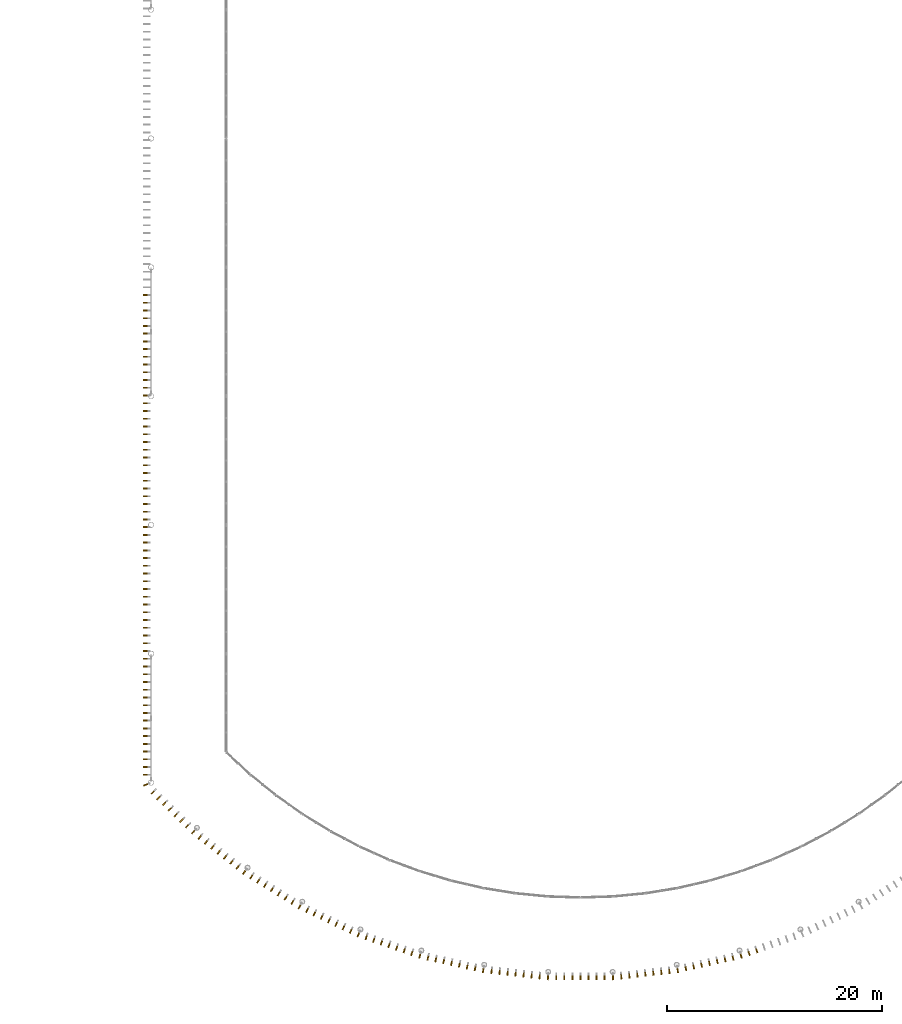
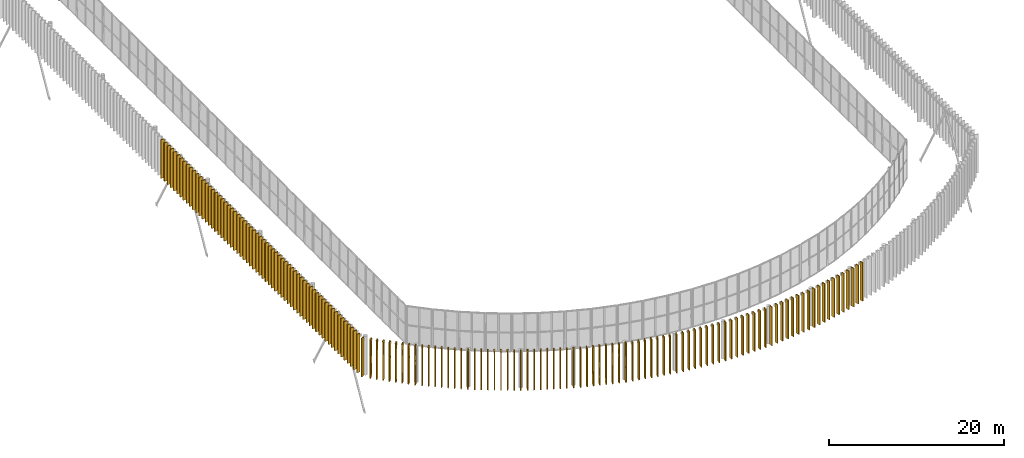
# One storey, part 157 of 170: 146 shading devices.
"""IFC4 building model written with IfcOpenShell, lengths in metres."""

from ifc_helpers import new_model, si_unit, direction, frame, origin, origin_2d, place, context, subcontext, project, spatial, rectangle, extrude, material, layer, layer_set, type_object, element, save


model = new_model("IFC4")

# Units and contexts
model_context = context("Model", 3, precision=1e-05, world=origin(), true_north=direction((0.0, 1.0)))
body_context = subcontext(model_context, "Body", "Model", "MODEL_VIEW")
ifc_project = project(units=[si_unit("LENGTHUNIT", "METRE"), si_unit("AREAUNIT", "SQUARE_METRE"), si_unit("VOLUMEUNIT", "CUBIC_METRE"), si_unit("PLANEANGLEUNIT", "RADIAN"), si_unit("MASSUNIT", "GRAM", prefix="KILO")], contexts=[model_context])

# Site, building, storey
site_placement = place(None, origin())
site = spatial("IfcSite", under=ifc_project, at=site_placement, CompositionType="ELEMENT")
building_placement = place(site_placement, origin())
building = spatial("IfcBuilding", under=site, at=building_placement, Name="Ravi Spectrum Wholesale Market", CompositionType="ELEMENT")
storey_placement = place(building_placement, frame((0.0, 0.0, 5.39990234375)))
storey = spatial("IfcBuildingStorey", under=building, at=storey_placement, Name="L01", CompositionType="ELEMENT", Elevation=5.39990234375)

# Shading devices
ifc_material_1 = material(Name="Glazed ceramic red 01")
ifc_layer_1 = layer(ifc_material_1, 0.1201171875)
ifc_layer_set_1 = layer_set([ifc_layer_1], Name="Glazed ceramic red 01")
shading_device_type_1 = type_object("IfcShadingDeviceType", Name="Glazed ceramic fin 01", PredefinedType="USERDEFINED", material=ifc_layer_set_1)
for number, where, z_axis, x_axis, name in (
    (1, (41.898193359375, 19.642822265625, 0.000244140625), (0.0, 0.0, 1.0), (0.849312431968, -0.527890512232, 0.0), "Fin F255 Glazed ceramic red 01"),
    (2, (42.535400390625, 19.24658203125, 0.000244140625), (0.0, 0.0, 1.0), (0.849312431968, -0.527890512232, 0.0), "Fin F256 Glazed ceramic red 01"),
    (3, (43.172607421875, 18.8505859375, 0.000244140625), (0.0, 0.0, 1.0), (0.849312431968, -0.527890512232, 0.0), "Fin F257 Glazed ceramic red 01"),
    (4, (43.835205078125, 18.439697265625, 0.000244140625), (0.0, 0.0, 1.0), (0.877341110352, -0.4798672484, 0.0), "Fin F258 Glazed ceramic red 01"),
    (5, (44.53857421875, 18.103515625, 0.000244140625), (0.0, 0.0, 1.0), (0.902657189799, -0.430360311488, 0.0), "Fin F259 Glazed ceramic red 01"),
    (6, (45.2158203125, 17.780517578125, 0.000244140625), (0.0, 0.0, 1.0), (0.902657189799, -0.430360311488, 0.0), "Fin F260 Glazed ceramic red 01"),
    (7, (45.893310546875, 17.45751953125, 0.000244140625), (0.0, 0.0, 1.0), (0.902657189799, -0.430360311488, 0.0), "Fin F261 Glazed ceramic red 01"),
    (8, (46.570556640625, 17.134765625, 0.000244140625), (0.0, 0.0, 1.0), (0.902657189799, -0.430360311488, 0.0), "Fin F262 Glazed ceramic red 01"),
    (9, (47.247802734375, 16.811767578125, 0.000244140625), (0.0, 0.0, 1.0), (0.902657189799, -0.430360311488, 0.0), "Fin F263 Glazed ceramic red 01"),
    (10, (47.92529296875, 16.48876953125, 0.000244140625), (0.0, 0.0, 1.0), (0.902657189799, -0.430360311488, 0.0), "Fin F264 Glazed ceramic red 01"),
    (11, (48.6025390625, 16.166015625, 0.000244140625), (0.0, 0.0, 1.0), (0.902657189799, -0.430360311488, 0.0), "Fin F265 Glazed ceramic red 01"),
    (12, (49.306640625, 15.8310546875, 0.000244140625), (0.0, 0.0, 1.0), (0.925182397026, -0.379522769057, 0.0), "Fin F266 Glazed ceramic red 01"),
    (13, (50.042724609375, 15.574951171875, 0.000244140625), (0.0, 0.0, 1.0), (0.944847087681, -0.32751180269, 0.0), "Fin F267 Glazed ceramic red 01"),
    (14, (50.751708984375, 15.329345703125, 0.000244140625), (0.0, 0.0, 1.0), (0.944847087681, -0.32751180269, 0.0), "Fin F268 Glazed ceramic red 01"),
    (15, (51.460693359375, 15.08349609375, 0.000244140625), (0.0, 0.0, 1.0), (0.944847087681, -0.32751180269, 0.0), "Fin F269 Glazed ceramic red 01"),
    (16, (52.169677734375, 14.837890625, 0.000244140625), (0.0, 0.0, 1.0), (0.944847087681, -0.32751180269, 0.0), "Fin F270 Glazed ceramic red 01"),
    (17, (52.878662109375, 14.592041015625, 0.000244140625), (0.0, 0.0, 1.0), (0.944847087681, -0.32751180269, 0.0), "Fin F271 Glazed ceramic red 01"),
    (18, (53.587646484375, 14.34619140625, 0.000244140625), (0.0, 0.0, 1.0), (0.944847087681, -0.32751180269, 0.0), "Fin F272 Glazed ceramic red 01"),
    (19, (54.296630859375, 14.1005859375, 0.000244140625), (0.0, 0.0, 1.0), (0.944847087681, -0.32751180269, 0.0), "Fin F273 Glazed ceramic red 01"),
    (20, (55.033447265625, 13.845947265625, 0.000244140625), (0.0, 0.0, 1.0), (0.961590461677, -0.27448822199, 0.0), "Fin F274 Glazed ceramic red 01"),
    (21, (55.793701171875, 13.67333984375, 0.000244140625), (0.0, 0.0, 1.0), (0.97536075116, -0.220615967456, 0.0), "Fin F275 Glazed ceramic red 01"),
    (22, (56.525634765625, 13.507568359375, 0.000244140625), (0.0, 0.0, 1.0), (0.97536075116, -0.220615967456, 0.0), "Fin F276 Glazed ceramic red 01"),
    (23, (57.257568359375, 13.342041015625, 0.000244140625), (0.0, 0.0, 1.0), (0.97536075116, -0.220615967456, 0.0), "Fin F277 Glazed ceramic red 01"),
    (24, (57.9892578125, 13.176513671875, 0.000244140625), (0.0, 0.0, 1.0), (0.97536075116, -0.220615967456, 0.0), "Fin F278 Glazed ceramic red 01"),
    (25, (58.72119140625, 13.010986328125, 0.000244140625), (0.0, 0.0, 1.0), (0.97536075116, -0.220615967456, 0.0), "Fin F279 Glazed ceramic red 01"),
    (26, (59.453125, 12.845458984375, 0.000244140625), (0.0, 0.0, 1.0), (0.97536075116, -0.220615967456, 0.0), "Fin F280 Glazed ceramic red 01"),
    (27, (60.18505859375, 12.679931640625, 0.000244140625), (0.0, 0.0, 1.0), (0.97536075116, -0.220615967456, 0.0), "Fin F281 Glazed ceramic red 01"),
    (28, (60.945556640625, 12.5087890625, 0.000244140625), (0.0, 0.0, 1.0), (0.986115380594, -0.166061603499, 0.0), "Fin F282 Glazed ceramic red 01"),
    (29, (61.72021484375, 12.42138671875, 0.000244140625), (0.0, 0.0, 1.0), (0.993821098377, -0.110993803521, 0.0), "Fin F283 Glazed ceramic red 01"),
    (30, (62.4658203125, 12.338134765625, 0.000244140625), (0.0, 0.0, 1.0), (0.993821098377, -0.110993803521, 0.0), "Fin F284 Glazed ceramic red 01"),
    (31, (63.211669921875, 12.2548828125, 0.000244140625), (0.0, 0.0, 1.0), (0.993821098377, -0.110993803521, 0.0), "Fin F285 Glazed ceramic red 01"),
    (32, (63.957275390625, 12.171630859375, 0.000244140625), (0.0, 0.0, 1.0), (0.993821098377, -0.110993803521, 0.0), "Fin F286 Glazed ceramic red 01"),
    (33, (64.703125, 12.08837890625, 0.000244140625), (0.0, 0.0, 1.0), (0.993821098377, -0.110993803521, 0.0), "Fin F287 Glazed ceramic red 01"),
    (34, (65.44873046875, 12.005126953125, 0.000244140625), (0.0, 0.0, 1.0), (0.993821098377, -0.110993803521, 0.0), "Fin F288 Glazed ceramic red 01"),
    (35, (66.194580078125, 11.921630859375, 0.000244140625), (0.0, 0.0, 1.0), (0.993821098377, -0.110993803521, 0.0), "Fin F289 Glazed ceramic red 01"),
    (36, (66.96923828125, 11.8359375, 0.000244140625), (0.0, 0.0, 1.0), (0.998454079659, -0.055582828385, 0.0), "Fin F290 Glazed ceramic red 01"),
    (37, (67.748779296875, 11.835205078125, 0.000244140625), (0.0, 0.0, 1.0), (1.0, 0.0, 0.0), "Fin F291 Glazed ceramic red 01"),
    (38, (68.499267578125, 11.835205078125, 0.000244140625), (0.0, 0.0, 1.0), (1.0, 0.0, 0.0), "Fin F292 Glazed ceramic red 01"),
    (39, (69.24951171875, 11.835205078125, 0.000244140625), (0.0, 0.0, 1.0), (1.0, 0.0, 0.0), "Fin F293 Glazed ceramic red 01"),
    (40, (70.0, 11.835205078125, 0.000244140625), (0.0, 0.0, 1.0), (1.0, 0.0, 0.0), "Fin F294 Glazed ceramic red 01"),
    (41, (70.75048828125, 11.835205078125, 0.000244140625), (0.0, 0.0, 1.0), (1.0, 0.0, 0.0), "Fin F295 Glazed ceramic red 01"),
    (42, (71.500732421875, 11.835205078125, 0.000244140625), (0.0, 0.0, 1.0), (1.0, 0.0, 0.0), "Fin F296 Glazed ceramic red 01"),
    (43, (72.251220703125, 11.835205078125, 0.000244140625), (0.0, 0.0, 1.0), (1.0, 0.0, 0.0), "Fin F297 Glazed ceramic red 01"),
    (44, (73.03076171875, 11.8359375, 0.000244140625), (0.0, 0.0, 1.0), (0.998454079659, 0.055582828385, 0.0), "Fin F298 Glazed ceramic red 01"),
    (45, (73.805419921875, 11.921630859375, 0.000244140625), (0.0, 0.0, 1.0), (0.993821098377, 0.110993803521, 0.0), "Fin F299 Glazed ceramic red 01"),
    (46, (74.55126953125, 12.005126953125, 0.000244140625), (0.0, 0.0, 1.0), (0.993821098377, 0.110993803521, 0.0), "Fin F300 Glazed ceramic red 01"),
    (47, (75.296875, 12.08837890625, 0.000244140625), (0.0, 0.0, 1.0), (0.993821098377, 0.110993803521, 0.0), "Fin F301 Glazed ceramic red 01"),
    (48, (76.042724609375, 12.171630859375, 0.000244140625), (0.0, 0.0, 1.0), (0.993821098377, 0.110993803521, 0.0), "Fin F302 Glazed ceramic red 01"),
    (49, (76.788330078125, 12.2548828125, 0.000244140625), (0.0, 0.0, 1.0), (0.993821098377, 0.110993803521, 0.0), "Fin F303 Glazed ceramic red 01"),
    (50, (77.5341796875, 12.338134765625, 0.000244140625), (0.0, 0.0, 1.0), (0.993821098377, 0.110993803521, 0.0), "Fin F304 Glazed ceramic red 01"),
    (51, (78.27978515625, 12.42138671875, 0.000244140625), (0.0, 0.0, 1.0), (0.993821098377, 0.110993803521, 0.0), "Fin F305 Glazed ceramic red 01"),
    (52, (79.054443359375, 12.5087890625, 0.000244140625), (0.0, 0.0, 1.0), (0.986115380594, 0.166061603499, 0.0), "Fin F306 Glazed ceramic red 01"),
    (53, (79.81494140625, 12.679931640625, 0.000244140625), (0.0, 0.0, 1.0), (0.97536075116, 0.220615967456, 0.0), "Fin F307 Glazed ceramic red 01"),
    (54, (80.546875, 12.845458984375, 0.000244140625), (0.0, 0.0, 1.0), (0.97536075116, 0.220615967456, 0.0), "Fin F308 Glazed ceramic red 01"),
    (55, (81.27880859375, 13.010986328125, 0.000244140625), (0.0, 0.0, 1.0), (0.97536075116, 0.220615967456, 0.0), "Fin F309 Glazed ceramic red 01"),
    (56, (82.0107421875, 13.176513671875, 0.000244140625), (0.0, 0.0, 1.0), (0.97536075116, 0.220615967456, 0.0), "Fin F310 Glazed ceramic red 01"),
    (57, (82.742431640625, 13.342041015625, 0.000244140625), (0.0, 0.0, 1.0), (0.97536075116, 0.220615967456, 0.0), "Fin F311 Glazed ceramic red 01"),
    (58, (83.474365234375, 13.507568359375, 0.000244140625), (0.0, 0.0, 1.0), (0.97536075116, 0.220615967456, 0.0), "Fin F312 Glazed ceramic red 01"),
    (59, (84.206298828125, 13.67333984375, 0.000244140625), (0.0, 0.0, 1.0), (0.97536075116, 0.220615967456, 0.0), "Fin F313 Glazed ceramic red 01"),
    (60, (84.966552734375, 13.845947265625, 0.000244140625), (0.0, 0.0, 1.0), (0.961590461677, 0.27448822199, 0.0), "Fin F314 Glazed ceramic red 01"),
    (61, (85.703369140625, 14.1005859375, 0.000244140625), (0.0, 0.0, 1.0), (0.944847087681, 0.32751180269, 0.0), "Fin F315 Glazed ceramic red 01"),
    (62, (86.412353515625, 14.34619140625, 0.000244140625), (0.0, 0.0, 1.0), (0.944847087681, 0.32751180269, 0.0), "Fin F316 Glazed ceramic red 01"),
):
    element("IfcShadingDevice", number, at=place(storey_placement, frame(where, z_axis=z_axis, x_axis=x_axis)), inside=storey, type_object=shading_device_type_1, Name=name, ObjectType="FIN", PredefinedType="USERDEFINED", context=body_context, shape_type="SweptSolid", body=[
        extrude(rectangle(XDim=0.1201171875, YDim=0.449951171875, at=origin_2d()), origin(), (0.0, 0.0, 1.0), 5.39990234375),
    ])
ifc_material_2 = material(Name="Glazed ceramic vermilion 02")
ifc_layer_2 = layer(ifc_material_2, 0.1201171875)
ifc_layer_set_2 = layer_set([ifc_layer_2], Name="Glazed ceramic vermilion 02")
shading_device_type_2 = type_object("IfcShadingDeviceType", Name="Glazed ceramic fin 02", PredefinedType="USERDEFINED", material=ifc_layer_set_2)
for number, where, z_axis, x_axis, name in (
    (63, (32.30224609375, 26.991455078125, 0.000244140625), (0.0, 0.0, 1.0), (0.711924935547, -0.702255570392, 0.0), "Fin F239 Glazed ceramic vermilion 02"),
    (64, (32.836669921875, 26.464599609375, 0.000244140625), (0.0, 0.0, 1.0), (0.711924935547, -0.702255570392, 0.0), "Fin F240 Glazed ceramic vermilion 02"),
    (65, (33.370849609375, 25.9375, 0.000244140625), (0.0, 0.0, 1.0), (0.711924935547, -0.702255570392, 0.0), "Fin F241 Glazed ceramic vermilion 02"),
    (66, (33.92626953125, 25.390625, 0.000244140625), (0.0, 0.0, 1.0), (0.74985770716, -0.661599137706, 0.0), "Fin F242 Glazed ceramic vermilion 02"),
    (67, (34.5380859375, 24.90771484375, 0.000244140625), (0.0, 0.0, 1.0), (0.785472038209, -0.618897145891, 0.0), "Fin F243 Glazed ceramic vermilion 02"),
    (68, (35.12744140625, 24.443115234375, 0.000244140625), (0.0, 0.0, 1.0), (0.785472038209, -0.618897145891, 0.0), "Fin F244 Glazed ceramic vermilion 02"),
    (69, (35.716796875, 23.978759765625, 0.000244140625), (0.0, 0.0, 1.0), (0.785472038209, -0.618897145891, 0.0), "Fin F245 Glazed ceramic vermilion 02"),
    (70, (36.306396484375, 23.514404296875, 0.000244140625), (0.0, 0.0, 1.0), (0.785472038209, -0.618897145891, 0.0), "Fin F246 Glazed ceramic vermilion 02"),
    (71, (36.895751953125, 23.050048828125, 0.000244140625), (0.0, 0.0, 1.0), (0.785472038209, -0.618897145891, 0.0), "Fin F247 Glazed ceramic vermilion 02"),
    (72, (37.485107421875, 22.585693359375, 0.000244140625), (0.0, 0.0, 1.0), (0.785472038209, -0.618897145891, 0.0), "Fin F248 Glazed ceramic vermilion 02"),
    (73, (38.074462890625, 22.121337890625, 0.000244140625), (0.0, 0.0, 1.0), (0.785472038209, -0.618897145891, 0.0), "Fin F249 Glazed ceramic vermilion 02"),
    (74, (38.687255859375, 21.639404296875, 0.000244140625), (0.0, 0.0, 1.0), (0.818657814856, -0.574281622703, 0.0), "Fin F250 Glazed ceramic vermilion 02"),
    (75, (39.348876953125, 21.227294921875, 0.000244140625), (0.0, 0.0, 1.0), (0.849312431968, -0.527890512232, 0.0), "Fin F251 Glazed ceramic vermilion 02"),
    (76, (39.986328125, 20.8310546875, 0.000244140625), (0.0, 0.0, 1.0), (0.849312431968, -0.527890512232, 0.0), "Fin F252 Glazed ceramic vermilion 02"),
    (77, (40.62353515625, 20.43505859375, 0.000244140625), (0.0, 0.0, 1.0), (0.849312431968, -0.527890512232, 0.0), "Fin F253 Glazed ceramic vermilion 02"),
    (78, (41.2607421875, 20.038818359375, 0.000244140625), (0.0, 0.0, 1.0), (0.849312431968, -0.527890512232, 0.0), "Fin F254 Glazed ceramic vermilion 02"),
):
    element("IfcShadingDevice", number, at=place(storey_placement, frame(where, z_axis=z_axis, x_axis=x_axis)), inside=storey, type_object=shading_device_type_2, Name=name, ObjectType="FIN", PredefinedType="USERDEFINED", context=body_context, shape_type="SweptSolid", body=[
        extrude(rectangle(XDim=0.1201171875, YDim=0.449951171875, at=origin_2d()), origin(), (0.0, 0.0, 1.0), 5.39990234375),
    ])
ifc_material_3 = material(Name="Glazed ceramic orange 03")
ifc_layer_3 = layer(ifc_material_3, 0.1201171875)
ifc_layer_set_3 = layer_set([ifc_layer_3], Name="Glazed ceramic orange 03")
shading_device_type_3 = type_object("IfcShadingDeviceType", Name="Glazed ceramic fin 03", PredefinedType="USERDEFINED", material=ifc_layer_set_3)
for number, where, z_axis, x_axis, name in (
    (79, (29.47509765625, 35.047119140625, 0.000244140625), (0.0, 0.0, 1.0), (0.0, -1.0, 0.0), "Fin F227 Glazed ceramic orange 03"),
    (80, (29.47509765625, 34.326171875, 0.000244140625), (0.0, 0.0, 1.0), (0.0, -1.0, 0.0), "Fin F228 Glazed ceramic orange 03"),
    (81, (29.47509765625, 33.605224609375, 0.000244140625), (0.0, 0.0, 1.0), (0.0, -1.0, 0.0), "Fin F229 Glazed ceramic orange 03"),
    (82, (29.47509765625, 32.884033203125, 0.000244140625), (0.0, 0.0, 1.0), (0.0, -1.0, 0.0), "Fin F230 Glazed ceramic orange 03"),
    (83, (29.47509765625, 32.1630859375, 0.000244140625), (0.0, 0.0, 1.0), (0.0, -1.0, 0.0), "Fin F231 Glazed ceramic orange 03"),
    (84, (29.47509765625, 31.442138671875, 0.000244140625), (0.0, 0.0, 1.0), (0.0, -1.0, 0.0), "Fin F232 Glazed ceramic orange 03"),
    (85, (29.47509765625, 30.720947265625, 0.000244140625), (0.0, 0.0, 1.0), (0.0, -1.0, 0.0), "Fin F233 Glazed ceramic orange 03"),
    (86, (29.515625, 29.79736328125, 0.000244140625), (0.0, 0.0, 1.0), (0.385839623157, -0.922565870387, 0.0), "Fin F234 Glazed ceramic orange 03"),
    (87, (30.16552734375, 29.099365234375, 0.000244140625), (0.0, 0.0, 1.0), (0.711924935547, -0.702255570392, 0.0), "Fin F235 Glazed ceramic orange 03"),
    (88, (30.69970703125, 28.572265625, 0.000244140625), (0.0, 0.0, 1.0), (0.711924935547, -0.702255570392, 0.0), "Fin F236 Glazed ceramic orange 03"),
    (89, (31.23388671875, 28.04541015625, 0.000244140625), (0.0, 0.0, 1.0), (0.711924935547, -0.702255570392, 0.0), "Fin F237 Glazed ceramic orange 03"),
    (90, (31.76806640625, 27.5185546875, 0.000244140625), (0.0, 0.0, 1.0), (0.711924935547, -0.702255570392, 0.0), "Fin F238 Glazed ceramic orange 03"),
):
    element("IfcShadingDevice", number, at=place(storey_placement, frame(where, z_axis=z_axis, x_axis=x_axis)), inside=storey, type_object=shading_device_type_3, Name=name, ObjectType="FIN", PredefinedType="USERDEFINED", context=body_context, shape_type="SweptSolid", body=[
        extrude(rectangle(XDim=0.1201171875, YDim=0.449951171875, at=origin_2d()), origin(), (0.0, 0.0, 1.0), 5.39990234375),
    ])
ifc_material_4 = material(Name="Glazed ceramic orange 04")
ifc_layer_4 = layer(ifc_material_4, 0.1201171875)
ifc_layer_set_4 = layer_set([ifc_layer_4], Name="Glazed ceramic orange 04")
shading_device_type_4 = type_object("IfcShadingDeviceType", Name="Glazed ceramic fin 04", PredefinedType="USERDEFINED", material=ifc_layer_set_4)
for number, where, z_axis, x_axis, name in (
    (91, (29.47509765625, 42.978515625, 0.000244140625), (0.0, 0.0, 1.0), (0.0, -1.0, 0.0), "Fin F216 Glazed ceramic orange 04"),
    (92, (29.47509765625, 42.257568359375, 0.000244140625), (0.0, 0.0, 1.0), (0.0, -1.0, 0.0), "Fin F217 Glazed ceramic orange 04"),
    (93, (29.47509765625, 41.536376953125, 0.000244140625), (0.0, 0.0, 1.0), (0.0, -1.0, 0.0), "Fin F218 Glazed ceramic orange 04"),
    (94, (29.47509765625, 40.8154296875, 0.000244140625), (0.0, 0.0, 1.0), (0.0, -1.0, 0.0), "Fin F219 Glazed ceramic orange 04"),
    (95, (29.47509765625, 40.094482421875, 0.000244140625), (0.0, 0.0, 1.0), (0.0, -1.0, 0.0), "Fin F220 Glazed ceramic orange 04"),
    (96, (29.47509765625, 39.373291015625, 0.000244140625), (0.0, 0.0, 1.0), (0.0, -1.0, 0.0), "Fin F221 Glazed ceramic orange 04"),
    (97, (29.47509765625, 38.65234375, 0.000244140625), (0.0, 0.0, 1.0), (0.0, -1.0, 0.0), "Fin F222 Glazed ceramic orange 04"),
    (98, (29.47509765625, 37.931396484375, 0.000244140625), (0.0, 0.0, 1.0), (0.0, -1.0, 0.0), "Fin F223 Glazed ceramic orange 04"),
    (99, (29.47509765625, 37.210205078125, 0.000244140625), (0.0, 0.0, 1.0), (0.0, -1.0, 0.0), "Fin F224 Glazed ceramic orange 04"),
    (100, (29.47509765625, 36.4892578125, 0.000244140625), (0.0, 0.0, 1.0), (0.0, -1.0, 0.0), "Fin F225 Glazed ceramic orange 04"),
    (101, (29.47509765625, 35.768310546875, 0.000244140625), (0.0, 0.0, 1.0), (0.0, -1.0, 0.0), "Fin F226 Glazed ceramic orange 04"),
):
    element("IfcShadingDevice", number, at=place(storey_placement, frame(where, z_axis=z_axis, x_axis=x_axis)), inside=storey, type_object=shading_device_type_4, Name=name, ObjectType="FIN", PredefinedType="USERDEFINED", context=body_context, shape_type="SweptSolid", body=[
        extrude(rectangle(XDim=0.1201171875, YDim=0.449951171875, at=origin_2d()), origin(), (0.0, 0.0, 1.0), 5.39990234375),
    ])
ifc_material_5 = material(Name="Glazed ceramic amber 05")
ifc_layer_5 = layer(ifc_material_5, 0.1201171875)
ifc_layer_set_5 = layer_set([ifc_layer_5], Name="Glazed ceramic amber 05")
shading_device_type_5 = type_object("IfcShadingDeviceType", Name="Glazed ceramic fin 05", PredefinedType="USERDEFINED", material=ifc_layer_set_5)
for number, where, z_axis, x_axis, name in (
    (102, (29.47509765625, 50.909912109375, 0.000244140625), (0.0, 0.0, 1.0), (0.0, -1.0, 0.0), "Fin F205 Glazed ceramic amber 05"),
    (103, (29.47509765625, 50.188720703125, 0.000244140625), (0.0, 0.0, 1.0), (0.0, -1.0, 0.0), "Fin F206 Glazed ceramic amber 05"),
    (104, (29.47509765625, 49.4677734375, 0.000244140625), (0.0, 0.0, 1.0), (0.0, -1.0, 0.0), "Fin F207 Glazed ceramic amber 05"),
    (105, (29.47509765625, 48.746826171875, 0.000244140625), (0.0, 0.0, 1.0), (0.0, -1.0, 0.0), "Fin F208 Glazed ceramic amber 05"),
    (106, (29.47509765625, 48.025634765625, 0.000244140625), (0.0, 0.0, 1.0), (0.0, -1.0, 0.0), "Fin F209 Glazed ceramic amber 05"),
    (107, (29.47509765625, 47.3046875, 0.000244140625), (0.0, 0.0, 1.0), (0.0, -1.0, 0.0), "Fin F210 Glazed ceramic amber 05"),
    (108, (29.47509765625, 46.583740234375, 0.000244140625), (0.0, 0.0, 1.0), (0.0, -1.0, 0.0), "Fin F211 Glazed ceramic amber 05"),
    (109, (29.47509765625, 45.862548828125, 0.000244140625), (0.0, 0.0, 1.0), (0.0, -1.0, 0.0), "Fin F212 Glazed ceramic amber 05"),
    (110, (29.47509765625, 45.1416015625, 0.000244140625), (0.0, 0.0, 1.0), (0.0, -1.0, 0.0), "Fin F213 Glazed ceramic amber 05"),
    (111, (29.47509765625, 44.420654296875, 0.000244140625), (0.0, 0.0, 1.0), (0.0, -1.0, 0.0), "Fin F214 Glazed ceramic amber 05"),
    (112, (29.47509765625, 43.699462890625, 0.000244140625), (0.0, 0.0, 1.0), (0.0, -1.0, 0.0), "Fin F215 Glazed ceramic amber 05"),
):
    element("IfcShadingDevice", number, at=place(storey_placement, frame(where, z_axis=z_axis, x_axis=x_axis)), inside=storey, type_object=shading_device_type_5, Name=name, ObjectType="FIN", PredefinedType="USERDEFINED", context=body_context, shape_type="SweptSolid", body=[
        extrude(rectangle(XDim=0.1201171875, YDim=0.449951171875, at=origin_2d()), origin(), (0.0, 0.0, 1.0), 5.39990234375),
    ])
ifc_material_6 = material(Name="Glazed ceramic yellow 06")
ifc_layer_6 = layer(ifc_material_6, 0.1201171875)
ifc_layer_set_6 = layer_set([ifc_layer_6], Name="Glazed ceramic yellow 06")
shading_device_type_6 = type_object("IfcShadingDeviceType", Name="Glazed ceramic fin 06", PredefinedType="USERDEFINED", material=ifc_layer_set_6)
for number, where, z_axis, x_axis, name in (
    (113, (29.47509765625, 58.1201171875, 0.000244140625), (0.0, 0.0, 1.0), (0.0, -1.0, 0.0), "Fin F195 Glazed ceramic yellow 06"),
    (114, (29.47509765625, 57.399169921875, 0.000244140625), (0.0, 0.0, 1.0), (0.0, -1.0, 0.0), "Fin F196 Glazed ceramic yellow 06"),
    (115, (29.47509765625, 56.67822265625, 0.000244140625), (0.0, 0.0, 1.0), (0.0, -1.0, 0.0), "Fin F197 Glazed ceramic yellow 06"),
    (116, (29.47509765625, 55.95703125, 0.000244140625), (0.0, 0.0, 1.0), (0.0, -1.0, 0.0), "Fin F198 Glazed ceramic yellow 06"),
    (117, (29.47509765625, 55.236083984375, 0.000244140625), (0.0, 0.0, 1.0), (0.0, -1.0, 0.0), "Fin F199 Glazed ceramic yellow 06"),
    (118, (29.47509765625, 54.51513671875, 0.000244140625), (0.0, 0.0, 1.0), (0.0, -1.0, 0.0), "Fin F200 Glazed ceramic yellow 06"),
    (119, (29.47509765625, 53.7939453125, 0.000244140625), (0.0, 0.0, 1.0), (0.0, -1.0, 0.0), "Fin F201 Glazed ceramic yellow 06"),
    (120, (29.47509765625, 53.072998046875, 0.000244140625), (0.0, 0.0, 1.0), (0.0, -1.0, 0.0), "Fin F202 Glazed ceramic yellow 06"),
    (121, (29.47509765625, 52.35205078125, 0.000244140625), (0.0, 0.0, 1.0), (0.0, -1.0, 0.0), "Fin F203 Glazed ceramic yellow 06"),
    (122, (29.47509765625, 51.630859375, 0.000244140625), (0.0, 0.0, 1.0), (0.0, -1.0, 0.0), "Fin F204 Glazed ceramic yellow 06"),
):
    element("IfcShadingDevice", number, at=place(storey_placement, frame(where, z_axis=z_axis, x_axis=x_axis)), inside=storey, type_object=shading_device_type_6, Name=name, ObjectType="FIN", PredefinedType="USERDEFINED", context=body_context, shape_type="SweptSolid", body=[
        extrude(rectangle(XDim=0.1201171875, YDim=0.449951171875, at=origin_2d()), origin(), (0.0, 0.0, 1.0), 5.39990234375),
    ])
ifc_material_7 = material(Name="Glazed ceramic yellow 07")
ifc_layer_7 = layer(ifc_material_7, 0.1201171875)
ifc_layer_set_7 = layer_set([ifc_layer_7], Name="Glazed ceramic yellow 07")
shading_device_type_7 = type_object("IfcShadingDeviceType", Name="Glazed ceramic fin 07", PredefinedType="USERDEFINED", material=ifc_layer_set_7)
for number, where, z_axis, x_axis, name in (
    (123, (29.47509765625, 66.051513671875, 0.000244140625), (0.0, 0.0, 1.0), (0.0, -1.0, 0.0), "Fin F184 Glazed ceramic yellow 07"),
    (124, (29.47509765625, 65.33056640625, 0.000244140625), (0.0, 0.0, 1.0), (0.0, -1.0, 0.0), "Fin F185 Glazed ceramic yellow 07"),
    (125, (29.47509765625, 64.609375, 0.000244140625), (0.0, 0.0, 1.0), (0.0, -1.0, 0.0), "Fin F186 Glazed ceramic yellow 07"),
    (126, (29.47509765625, 63.888427734375, 0.000244140625), (0.0, 0.0, 1.0), (0.0, -1.0, 0.0), "Fin F187 Glazed ceramic yellow 07"),
    (127, (29.47509765625, 63.16748046875, 0.000244140625), (0.0, 0.0, 1.0), (0.0, -1.0, 0.0), "Fin F188 Glazed ceramic yellow 07"),
    (128, (29.47509765625, 62.4462890625, 0.000244140625), (0.0, 0.0, 1.0), (0.0, -1.0, 0.0), "Fin F189 Glazed ceramic yellow 07"),
    (129, (29.47509765625, 61.725341796875, 0.000244140625), (0.0, 0.0, 1.0), (0.0, -1.0, 0.0), "Fin F190 Glazed ceramic yellow 07"),
    (130, (29.47509765625, 61.00439453125, 0.000244140625), (0.0, 0.0, 1.0), (0.0, -1.0, 0.0), "Fin F191 Glazed ceramic yellow 07"),
    (131, (29.47509765625, 60.283203125, 0.000244140625), (0.0, 0.0, 1.0), (0.0, -1.0, 0.0), "Fin F192 Glazed ceramic yellow 07"),
    (132, (29.47509765625, 59.562255859375, 0.000244140625), (0.0, 0.0, 1.0), (0.0, -1.0, 0.0), "Fin F193 Glazed ceramic yellow 07"),
    (133, (29.47509765625, 58.84130859375, 0.000244140625), (0.0, 0.0, 1.0), (0.0, -1.0, 0.0), "Fin F194 Glazed ceramic yellow 07"),
):
    element("IfcShadingDevice", number, at=place(storey_placement, frame(where, z_axis=z_axis, x_axis=x_axis)), inside=storey, type_object=shading_device_type_7, Name=name, ObjectType="FIN", PredefinedType="USERDEFINED", context=body_context, shape_type="SweptSolid", body=[
        extrude(rectangle(XDim=0.1201171875, YDim=0.449951171875, at=origin_2d()), origin(), (0.0, 0.0, 1.0), 5.39990234375),
    ])
ifc_material_8 = material(Name="Glazed ceramic lime 08")
ifc_layer_8 = layer(ifc_material_8, 0.1201171875)
ifc_layer_set_8 = layer_set([ifc_layer_8], Name="Glazed ceramic lime 08")
shading_device_type_8 = type_object("IfcShadingDeviceType", Name="Glazed ceramic fin 08", PredefinedType="USERDEFINED", material=ifc_layer_set_8)
for number, where, z_axis, x_axis, name in (
    (134, (29.47509765625, 73.98291015625, 0.000244140625), (0.0, 0.0, 1.0), (0.0, -1.0, 0.0), "Fin F173 Glazed ceramic lime 08"),
    (135, (29.47509765625, 73.26171875, 0.000244140625), (0.0, 0.0, 1.0), (0.0, -1.0, 0.0), "Fin F174 Glazed ceramic lime 08"),
    (136, (29.47509765625, 72.540771484375, 0.000244140625), (0.0, 0.0, 1.0), (0.0, -1.0, 0.0), "Fin F175 Glazed ceramic lime 08"),
    (137, (29.47509765625, 71.81982421875, 0.000244140625), (0.0, 0.0, 1.0), (0.0, -1.0, 0.0), "Fin F176 Glazed ceramic lime 08"),
    (138, (29.47509765625, 71.0986328125, 0.000244140625), (0.0, 0.0, 1.0), (0.0, -1.0, 0.0), "Fin F177 Glazed ceramic lime 08"),
    (139, (29.47509765625, 70.377685546875, 0.000244140625), (0.0, 0.0, 1.0), (0.0, -1.0, 0.0), "Fin F178 Glazed ceramic lime 08"),
    (140, (29.47509765625, 69.65673828125, 0.000244140625), (0.0, 0.0, 1.0), (0.0, -1.0, 0.0), "Fin F179 Glazed ceramic lime 08"),
    (141, (29.47509765625, 68.935546875, 0.000244140625), (0.0, 0.0, 1.0), (0.0, -1.0, 0.0), "Fin F180 Glazed ceramic lime 08"),
    (142, (29.47509765625, 68.214599609375, 0.000244140625), (0.0, 0.0, 1.0), (0.0, -1.0, 0.0), "Fin F181 Glazed ceramic lime 08"),
    (143, (29.47509765625, 67.49365234375, 0.000244140625), (0.0, 0.0, 1.0), (0.0, -1.0, 0.0), "Fin F182 Glazed ceramic lime 08"),
    (144, (29.47509765625, 66.7724609375, 0.000244140625), (0.0, 0.0, 1.0), (0.0, -1.0, 0.0), "Fin F183 Glazed ceramic lime 08"),
):
    element("IfcShadingDevice", number, at=place(storey_placement, frame(where, z_axis=z_axis, x_axis=x_axis)), inside=storey, type_object=shading_device_type_8, Name=name, ObjectType="FIN", PredefinedType="USERDEFINED", context=body_context, shape_type="SweptSolid", body=[
        extrude(rectangle(XDim=0.1201171875, YDim=0.449951171875, at=origin_2d()), origin(), (0.0, 0.0, 1.0), 5.39990234375),
    ])
ifc_material_9 = material(Name="Glazed ceramic lime 09")
ifc_layer_9 = layer(ifc_material_9, 0.1201171875)
ifc_layer_set_9 = layer_set([ifc_layer_9], Name="Glazed ceramic lime 09")
shading_device_type_9 = type_object("IfcShadingDeviceType", Name="Glazed ceramic fin 09", PredefinedType="USERDEFINED", material=ifc_layer_set_9)
for number, where, z_axis, x_axis, name in (
    (145, (29.47509765625, 75.4248046875, 0.000244140625), (0.0, 0.0, 1.0), (0.0, -1.0, 0.0), "Fin F171 Glazed ceramic lime 09"),
    (146, (29.47509765625, 74.703857421875, 0.000244140625), (0.0, 0.0, 1.0), (0.0, -1.0, 0.0), "Fin F172 Glazed ceramic lime 09"),
):
    element("IfcShadingDevice", number, at=place(storey_placement, frame(where, z_axis=z_axis, x_axis=x_axis)), inside=storey, type_object=shading_device_type_9, Name=name, ObjectType="FIN", PredefinedType="USERDEFINED", context=body_context, shape_type="SweptSolid", body=[
        extrude(rectangle(XDim=0.1201171875, YDim=0.449951171875, at=origin_2d()), origin(), (0.0, 0.0, 1.0), 5.39990234375),
    ])

save(model, "model.ifc")
